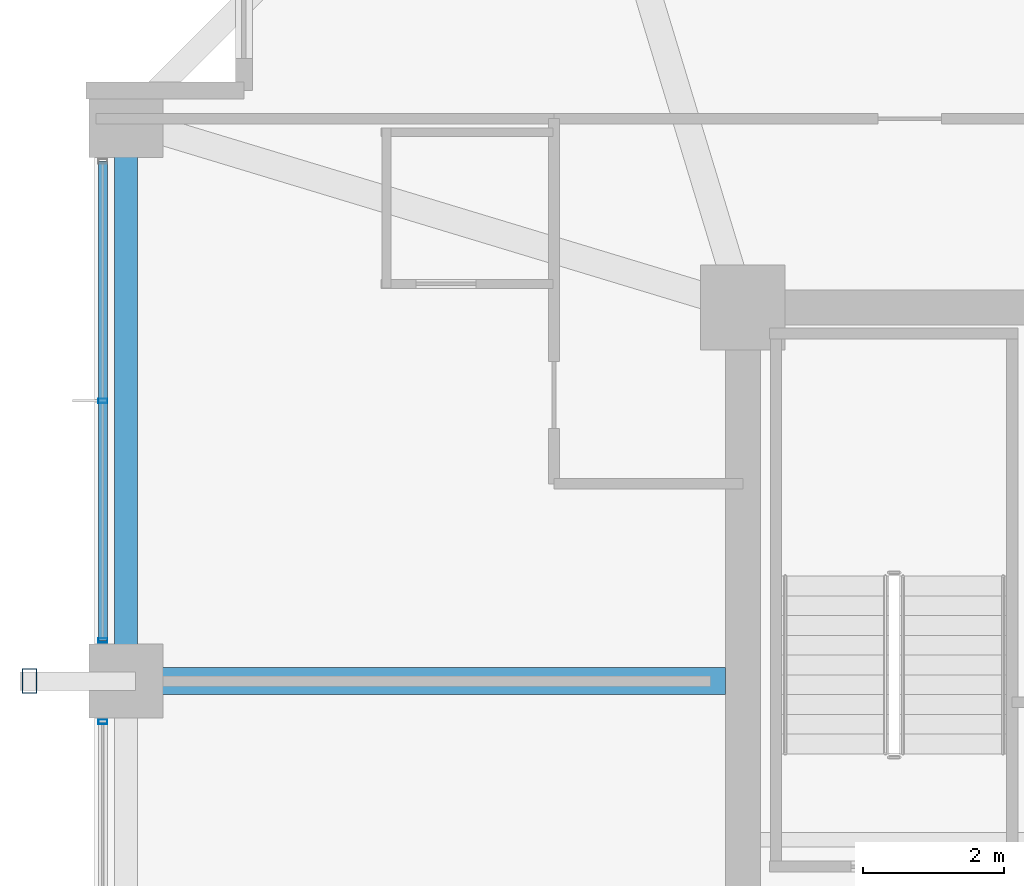
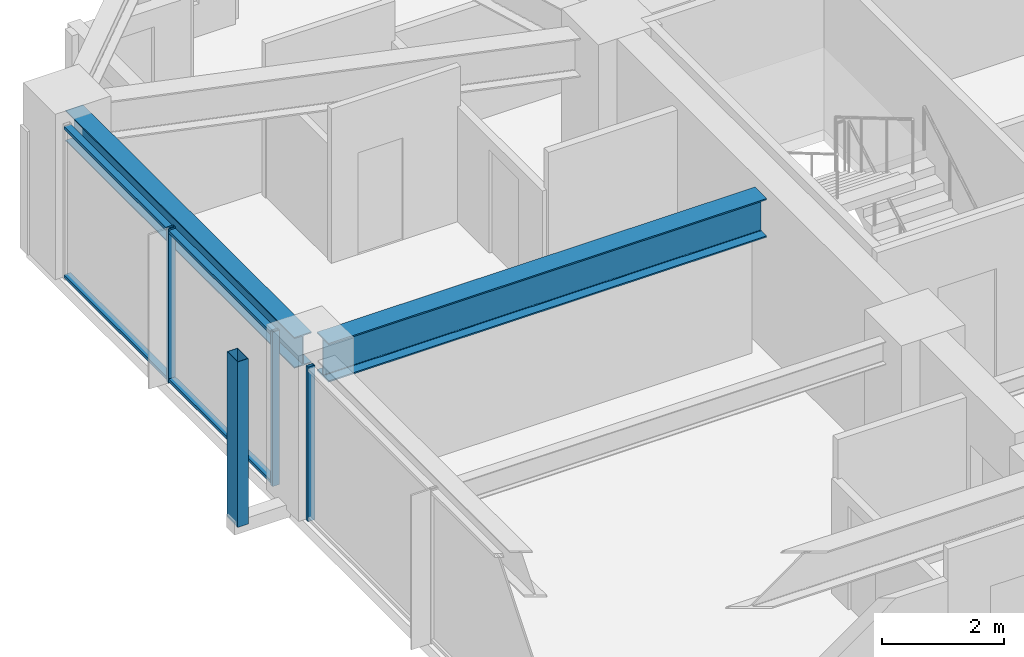
# One storey, part 9 of 31: 6 members, 2 beams, 2 elements without a shape of their own.
"""IFC4 building model written with IfcOpenShell, lengths in metres."""

from ifc_helpers import new_model, si_unit, direction, frame, origin, origin_2d, place, context, subcontext, project, spatial, hollow_rectangle, i_section, extrude, material, material_profile, profile_set, type_object, element, aggregate, save


model = new_model("IFC4")

# Units and contexts
model_context = context("Model", 3, precision=1e-05, world=origin(), true_north=direction((0.0, 1.0)))
body_context = subcontext(model_context, "Body", "Model", "MODEL_VIEW")
ifc_project = project(units=[si_unit("LENGTHUNIT", "METRE"), si_unit("AREAUNIT", "SQUARE_METRE"), si_unit("VOLUMEUNIT", "CUBIC_METRE"), si_unit("PLANEANGLEUNIT", "RADIAN"), si_unit("MASSUNIT", "GRAM", prefix="KILO")], contexts=[model_context])

# Site, building, storey
site_placement = place(None, origin())
site = spatial("IfcSite", under=ifc_project, at=site_placement, CompositionType="ELEMENT")
building_placement = place(site_placement, origin())
building = spatial("IfcBuilding", under=site, at=building_placement, Name="Kolvaren Belvedere", CompositionType="ELEMENT")
storey_placement = place(building_placement, frame((0.0, 0.0, 118.39990234375)))
storey = spatial("IfcBuildingStorey", under=building, at=storey_placement, Name="L34", CompositionType="ELEMENT", Elevation=118.39990234375)

# Beams
ifc_material_1 = material(Name="Structural steel ASTM A992 Grade 50", Category="steel")
ifc_material_profile_1 = material_profile(ifc_material_1, i_section(OverallWidth=0.381103515625, OverallDepth=0.77294921875, WebThickness=0.0166015625, FlangeThickness=0.027099609375, FilletRadius=0.02392578125, at=origin_2d()), Name="W30X173")
ifc_profile_set_1 = profile_set([ifc_material_profile_1], Name="Structural steel ASTM A992 Grade 50")
beam_type_1 = type_object("IfcBeamType", Name="BM-GIRD-W30X173", PredefinedType="BEAM", material=ifc_profile_set_1)
beam_1_placement = place(storey_placement, frame((-10.14990234375, 4.60009765625, 2.693603515625), z_axis=(-1.0, 0.0, 0.0), x_axis=(0.0, -1.0, 0.0)))
element("IfcBeam", 1, at=beam_1_placement, inside=storey, type_object=beam_type_1, Name="L34 West Radial Girder P", PredefinedType="BEAM", context=body_context, shape_type="SweptSolid", body=[
    extrude(i_section(OverallWidth=0.381103515625, OverallDepth=0.77294921875, WebThickness=0.0166015625, FlangeThickness=0.027099609375, FilletRadius=0.02392578125, at=origin_2d()), origin(), (0.0, 0.0, 1.0), 8.263916015625),
])
ifc_material_2 = material(Name="Structural steel ASTM A992 Grade 50", Category="steel")
ifc_material_profile_2 = material_profile(ifc_material_2, i_section(OverallWidth=0.324951171875, OverallDepth=0.615966796875, WebThickness=0.013916015625, FlangeThickness=0.021484375, FilletRadius=0.02001953125, at=origin_2d()), Name="W24X117")
ifc_profile_set_2 = profile_set([ifc_material_profile_2], Name="Structural steel ASTM A992 Grade 50")
beam_type_2 = type_object("IfcBeamType", Name="BM-SPAN-W24X117", PredefinedType="SPANDREL", material=ifc_profile_set_2)
beam_2_placement = place(storey_placement, frame((-18.64990234375, 12.313720703125, 2.772216796875), z_axis=(0.0, -1.0, 0.0), x_axis=(1.0, 0.0, 0.0)))
element("IfcBeam", 2, at=beam_2_placement, inside=storey, type_object=beam_type_2, Name="L34 Perimeter Spandrel W4-W3", PredefinedType="SPANDREL", context=body_context, shape_type="SweptSolid", body=[
    extrude(i_section(OverallWidth=0.324951171875, OverallDepth=0.615966796875, WebThickness=0.013916015625, FlangeThickness=0.021484375, FilletRadius=0.02001953125, at=origin_2d()), origin(), (0.0, 0.0, 1.0), 7.4775390625),
])

# Curtain wall, member
ifc_material_3 = material(Name="Anodised pale-metal aluminium AA 6063-T6", Category="aluminium")
curtain_wall_type = type_object("IfcCurtainWallType", Name="CW-Z3-WAIST", PredefinedType="NOTDEFINED", material=ifc_material_3)
curtain_wall_1_placement = place(storey_placement, origin())
curtain_wall_1 = element("IfcCurtainWall", 3, at=curtain_wall_1_placement, inside=storey, type_object=curtain_wall_type, Name="L34 Unitised Curtain Wall FCW-L34-W-B2", PredefinedType="NOTDEFINED")
ifc_material_4 = material(Name="Anodised pale-metal aluminium AA 6063-T6", Category="aluminium")
ifc_material_profile_3 = material_profile(ifc_material_4, hollow_rectangle(XDim=0.06494140625, YDim=0.1298828125, WallThickness=0.00390625, at=origin_2d()), Name="ALU-MUL-130X65")
ifc_profile_set_3 = profile_set([ifc_material_profile_3], Name="Anodised pale-metal aluminium AA 6063-T6")
member_type_1 = type_object("IfcMemberType", Name="CW-MUL-130", PredefinedType="MULLION", material=ifc_profile_set_3)
member_1_placement = place(storey_placement, frame((-18.97998046875, 4.0224609375, 0.0), z_axis=(0.0, 0.0, 1.0), x_axis=(0.0, 1.0, 0.0)))
member_1 = element("IfcMember", 4, at=member_1_placement, type_object=member_type_1, Name="FCW-L34-W-B2 Unitised Mullion 3", PredefinedType="MULLION", context=body_context, shape_type="SweptSolid", body=[
    extrude(hollow_rectangle(XDim=0.06494140625, YDim=0.1298828125, WallThickness=0.00390625, at=origin_2d()), origin(), (0.0, 0.0, 1.0), 3.080078125),
])
aggregate(curtain_wall_1, [member_1])

# Curtain wall, members
curtain_wall_2_placement = place(storey_placement, origin())
curtain_wall_2 = element("IfcCurtainWall", 5, at=curtain_wall_2_placement, inside=storey, type_object=curtain_wall_type, Name="L34 Unitised Curtain Wall FCW-L34-W-B3", PredefinedType="NOTDEFINED")
member_2_placement = place(storey_placement, frame((-18.97998046875, 5.177490234375, 0.0), z_axis=(0.0, 0.0, 1.0), x_axis=(0.0, 1.0, 0.0)))
member_2 = element("IfcMember", 6, at=member_2_placement, type_object=member_type_1, Name="FCW-L34-W-B3 Unitised Mullion 1", PredefinedType="MULLION", context=body_context, shape_type="SweptSolid", body=[
    extrude(hollow_rectangle(XDim=0.06494140625, YDim=0.1298828125, WallThickness=0.00390625, at=origin_2d()), origin(), (0.0, 0.0, 1.0), 3.080078125),
])
member_3_placement = place(storey_placement, frame((-18.97998046875, 8.574951171875, 0.0), z_axis=(0.0, 0.0, 1.0), x_axis=(0.0, 1.0, 0.0)))
member_3 = element("IfcMember", 7, at=member_3_placement, type_object=member_type_1, Name="FCW-L34-W-B3 Unitised Mullion 2", PredefinedType="MULLION", context=body_context, shape_type="SweptSolid", body=[
    extrude(hollow_rectangle(XDim=0.06494140625, YDim=0.1298828125, WallThickness=0.00390625, at=origin_2d()), origin(), (0.0, 0.0, 1.0), 3.080078125),
])
ifc_material_5 = material(Name="Anodised pale-metal aluminium AA 6063-T6", Category="aluminium")
ifc_material_profile_4 = material_profile(ifc_material_5, hollow_rectangle(XDim=0.06005859375, YDim=0.1298828125, WallThickness=0.00390625, at=origin_2d()), Name="ALU-TRN-130X60")
ifc_profile_set_4 = profile_set([ifc_material_profile_4], Name="Anodised pale-metal aluminium AA 6063-T6")
member_type_2 = type_object("IfcMemberType", Name="CW-TRN-130", PredefinedType="USERDEFINED", material=ifc_profile_set_4)
member_4_placement = place(storey_placement, frame((-18.97998046875, 5.177490234375, 0.06005859375), z_axis=(0.0, 1.0, 0.0), x_axis=(0.0, 0.0, 1.0)))
member_4 = element("IfcMember", 8, at=member_4_placement, type_object=member_type_2, Name="FCW-L34-W-B3 Sill Transom", ObjectType="TRANSOM", PredefinedType="USERDEFINED", context=body_context, shape_type="SweptSolid", body=[
    extrude(hollow_rectangle(XDim=0.06005859375, YDim=0.1298828125, WallThickness=0.00390625, at=origin_2d()), origin(), (0.0, 0.0, 1.0), 6.794921875),
])
member_5_placement = place(storey_placement, frame((-18.97998046875, 5.177490234375, 3.02001953125), z_axis=(0.0, 1.0, 0.0), x_axis=(0.0, 0.0, 1.0)))
member_5 = element("IfcMember", 9, at=member_5_placement, type_object=member_type_2, Name="FCW-L34-W-B3 Head Transom", ObjectType="TRANSOM", PredefinedType="USERDEFINED", context=body_context, shape_type="SweptSolid", body=[
    extrude(hollow_rectangle(XDim=0.06005859375, YDim=0.1298828125, WallThickness=0.00390625, at=origin_2d()), origin(), (0.0, 0.0, 1.0), 6.794921875),
])
aggregate(curtain_wall_2, [member_2, member_3, member_4, member_5])

# Member
ifc_material_6 = material(Name="Anodised pale-metal aluminium AA 6063-T6", Category="aluminium")
ifc_material_profile_5 = material_profile(ifc_material_6, hollow_rectangle(XDim=0.199951171875, YDim=0.35009765625, WallThickness=0.007568359375, at=origin_2d()), Name="ALU-PF-350X200")
ifc_profile_set_5 = profile_set([ifc_material_profile_5], Name="Anodised pale-metal aluminium AA 6063-T6")
member_type_3 = type_object("IfcMemberType", Name="PF-FRAME-350", PredefinedType="USERDEFINED", material=ifc_profile_set_5)
member_6_placement = place(storey_placement, frame((-20.02001953125, 4.60009765625, 0.0), z_axis=(0.0, 0.0, 1.0), x_axis=(1.0, 0.0, 0.0)))
element("IfcMember", 10, at=member_6_placement, inside=storey, type_object=member_type_3, Name="L34 Outboard Picture-Frame Vertical W2", ObjectType="PICTURE FRAME FIN", PredefinedType="USERDEFINED", context=body_context, shape_type="SweptSolid", body=[
    extrude(hollow_rectangle(XDim=0.199951171875, YDim=0.35009765625, WallThickness=0.007568359375, at=origin_2d()), origin(), (0.0, 0.0, 1.0), 3.300048828125),
])

save(model, "model.ifc")
